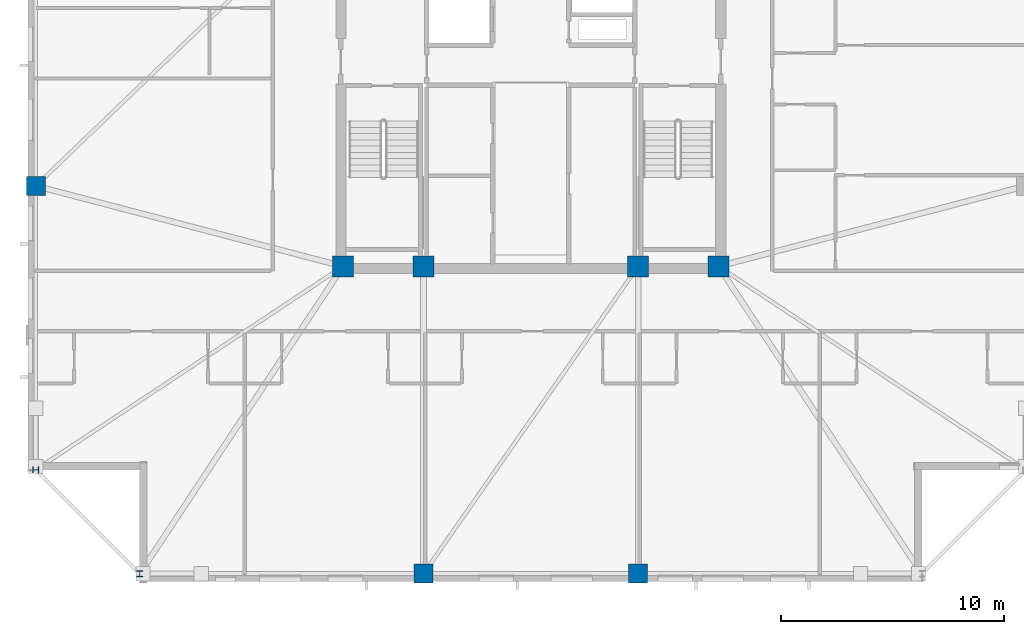
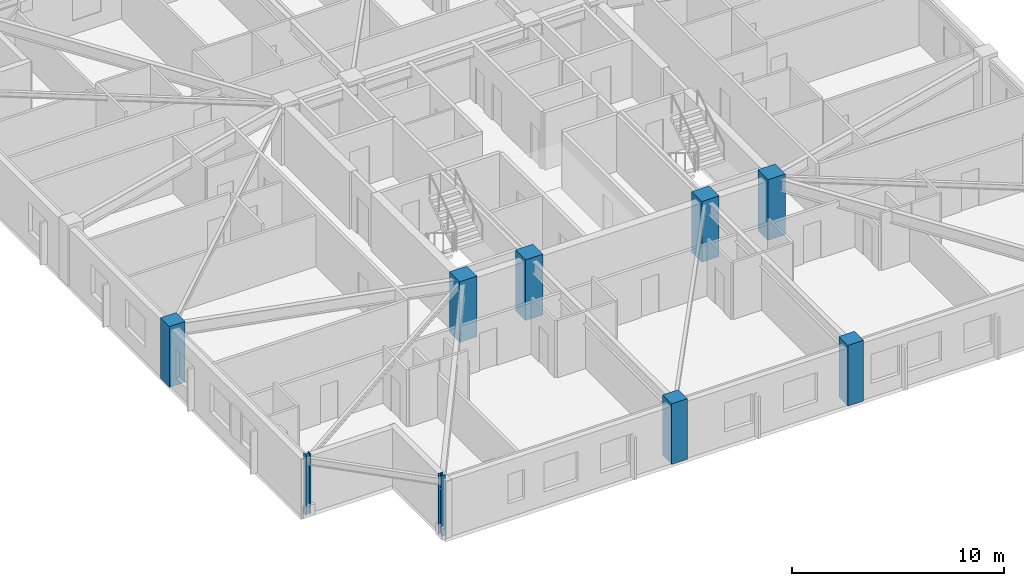
# One storey, part 1 of 17: 9 columns.
"""IFC4 building model written with IfcOpenShell, lengths in metres."""

from ifc_helpers import new_model, si_unit, direction, frame, origin, origin_2d, place, context, subcontext, project, spatial, rectangle, i_section, extrude, material, material_profile, profile_set, type_object, element, save


model = new_model("IFC4")

# Units and contexts
model_context = context("Model", 3, precision=1e-05, world=origin(), true_north=direction((0.0, 1.0)))
body_context = subcontext(model_context, "Body", "Model", "MODEL_VIEW")
ifc_project = project(units=[si_unit("LENGTHUNIT", "METRE"), si_unit("AREAUNIT", "SQUARE_METRE"), si_unit("VOLUMEUNIT", "CUBIC_METRE"), si_unit("PLANEANGLEUNIT", "RADIAN"), si_unit("MASSUNIT", "GRAM", prefix="KILO")], contexts=[model_context])

# Site, building, storey
site_placement = place(None, origin())
site = spatial("IfcSite", under=ifc_project, at=site_placement, CompositionType="ELEMENT")
building_placement = place(site_placement, origin())
building = spatial("IfcBuilding", under=site, at=building_placement, Name="Cairnveth Concourse Tower", CompositionType="ELEMENT")
storey_placement = place(building_placement, frame((0.0, 0.0, 213.0)))
storey = spatial("IfcBuildingStorey", under=building, at=storey_placement, Name="L58", CompositionType="ELEMENT", Elevation=213.0)

# Columns
ifc_material_1 = material(Name="Concrete N65 (65 MPa)", Category="concrete")
ifc_material_profile_1 = material_profile(ifc_material_1, rectangle(XDim=0.949951171875, YDim=0.949951171875, at=origin_2d()), Name="RC-COL-950x950")
ifc_profile_set_1 = profile_set([ifc_material_profile_1], Name="Concrete N65 (65 MPa)")
column_type_1 = type_object("IfcColumnType", Name="CORE COLUMN 950X950", PredefinedType="COLUMN", material=ifc_profile_set_1)
for number, where, z_axis, x_axis, name in (
    (1, (43.60009765625, 30.60009765625, 0.0), (0.0, 0.0, 1.0), (1.0, 0.0, 0.0), "Column CC1 L58"),
    (2, (47.199951171875, 30.60009765625, 0.0), (0.0, 0.0, 1.0), (1.0, 0.0, 0.0), "Column CC2 L58"),
    (3, (56.800048828125, 30.60009765625, 0.0), (0.0, 0.0, 1.0), (1.0, 0.0, 0.0), "Column CC3 L58"),
    (4, (60.39990234375, 30.60009765625, 0.0), (0.0, 0.0, 1.0), (1.0, 0.0, 0.0), "Column CC4 L58"),
):
    element("IfcColumn", number, at=place(storey_placement, frame(where, z_axis=z_axis, x_axis=x_axis)), inside=storey, type_object=column_type_1, Name=name, PredefinedType="COLUMN", context=body_context, shape_type="SweptSolid", body=[
        extrude(rectangle(XDim=0.949951171875, YDim=0.949951171875, at=origin_2d()), origin(), (0.0, 0.0, 1.0), 3.5),
    ])
ifc_material_profile_2 = material_profile(ifc_material_1, rectangle(XDim=0.85009765625, YDim=0.85009765625, at=origin_2d()), Name="RC-COL-850x850")
ifc_profile_set_2 = profile_set([ifc_material_profile_2], Name="Concrete N65 (65 MPa)")
column_type_2 = type_object("IfcColumnType", Name="PERIMETER PIER COLUMN 850X850", PredefinedType="COLUMN", material=ifc_profile_set_2)
for number, where, z_axis, x_axis, name in (
    (5, (47.199951171875, 16.85009765625, 0.0), (0.0, 0.0, 1.0), (1.0, 0.0, 0.0), "Column P-S2 L58"),
    (6, (56.800048828125, 16.85009765625, 0.0), (0.0, 0.0, 1.0), (1.0, 0.0, 0.0), "Column P-S3 L58"),
    (7, (29.85009765625, 34.199951171875, 0.0), (0.0, 0.0, 1.0), (0.0, 1.0, 0.0), "Column P-W3 L58"),
):
    element("IfcColumn", number, at=place(storey_placement, frame(where, z_axis=z_axis, x_axis=x_axis)), inside=storey, type_object=column_type_2, Name=name, PredefinedType="COLUMN", context=body_context, shape_type="SweptSolid", body=[
        extrude(rectangle(XDim=0.85009765625, YDim=0.85009765625, at=origin_2d()), origin(), (0.0, 0.0, 1.0), 3.5),
    ])
ifc_material_2 = material(Name="Steel Grade 350", Category="steel")
ifc_material_profile_3 = material_profile(ifc_material_2, i_section(OverallWidth=0.256103515625, OverallDepth=0.260009765625, WebThickness=0.010498046875, FlangeThickness=0.017333984375, FilletRadius=0.012939453125, at=origin_2d()), Name="250UC89.5")
ifc_profile_set_3 = profile_set([ifc_material_profile_3], Name="Steel Grade 350")
column_type_3 = type_object("IfcColumnType", Name="UNIVERSAL STEEL COLUMN 250UC89.5", PredefinedType="COLUMN", material=ifc_profile_set_3)
for number, where, z_axis, x_axis, name in (
    (8, (34.5, 16.85009765625, 0.0), (0.0, 0.0, 1.0), (1.0, 0.0, 0.0), "Column P-S1 L58"),
    (9, (29.85009765625, 21.5, 0.0), (0.0, 0.0, 1.0), (0.0, 1.0, 0.0), "Column P-W4 L58"),
):
    element("IfcColumn", number, at=place(storey_placement, frame(where, z_axis=z_axis, x_axis=x_axis)), inside=storey, type_object=column_type_3, Name=name, PredefinedType="COLUMN", context=body_context, shape_type="SweptSolid", body=[
        extrude(i_section(OverallWidth=0.256103515625, OverallDepth=0.260009765625, WebThickness=0.010498046875, FlangeThickness=0.017333984375, FilletRadius=0.012939453125, at=origin_2d()), origin(), (0.0, 0.0, 1.0), 3.5),
    ])

save(model, "model.ifc")
